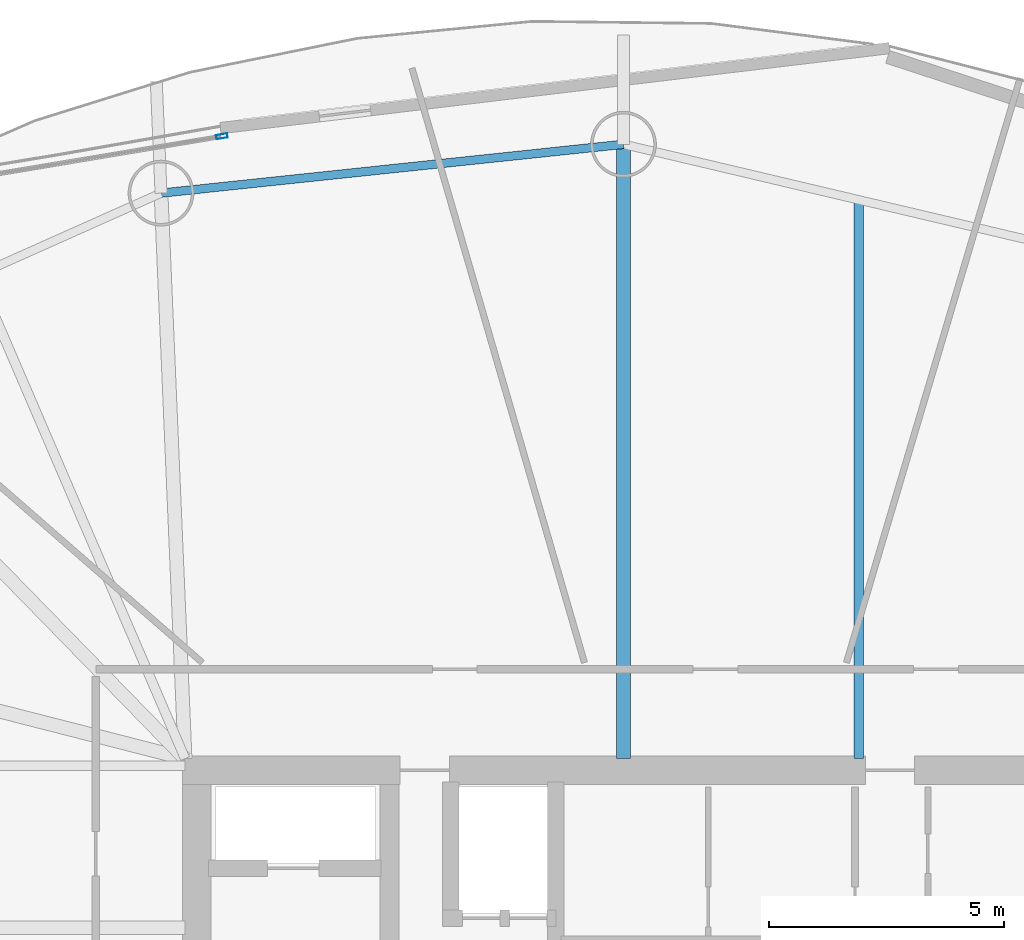
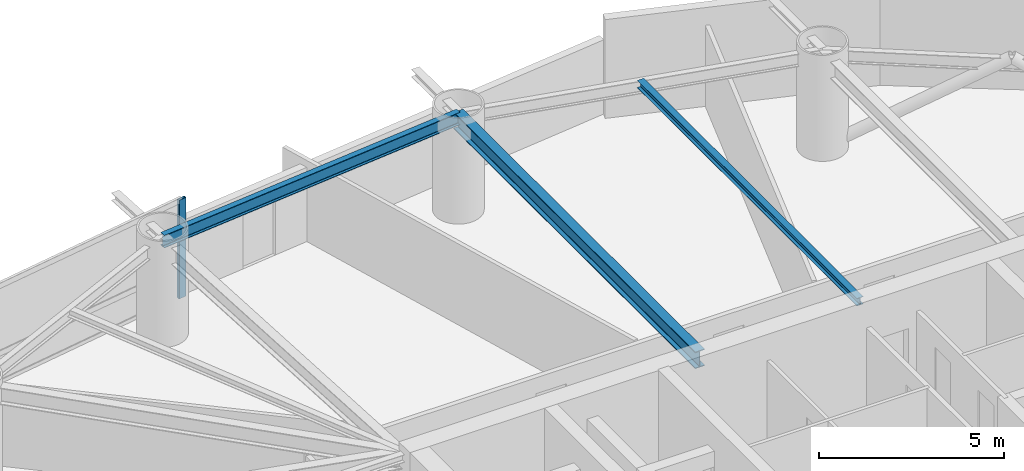
# One storey, part 15 of 22: 3 beams, 1 member, 1 element without a shape of its own.
"""IFC4 building model written with IfcOpenShell, lengths in metres."""

from ifc_helpers import new_model, si_unit, direction, frame, origin, origin_2d, place, context, subcontext, project, spatial, hollow_rectangle, i_section, extrude, material, layer, layer_set, material_profile, profile_set, type_object, element, aggregate, save


model = new_model("IFC4")

# Units and contexts
model_context = context("Model", 3, precision=1e-05, world=origin(), true_north=direction((0.0, 1.0)))
body_context = subcontext(model_context, "Body", "Model", "MODEL_VIEW")
ifc_project = project(units=[si_unit("LENGTHUNIT", "METRE"), si_unit("AREAUNIT", "SQUARE_METRE"), si_unit("VOLUMEUNIT", "CUBIC_METRE"), si_unit("PLANEANGLEUNIT", "RADIAN"), si_unit("MASSUNIT", "GRAM", prefix="KILO")], contexts=[model_context])

# Site, building, storey
site_placement = place(None, origin())
site = spatial("IfcSite", under=ifc_project, at=site_placement, CompositionType="ELEMENT")
building_placement = place(site_placement, origin())
building = spatial("IfcBuilding", under=site, at=building_placement, Name="Bramvorn Convention Spire", CompositionType="ELEMENT")
storey_placement = place(building_placement, frame((0.0, 0.0, 134.300048828125)))
storey = spatial("IfcBuildingStorey", under=building, at=storey_placement, Name="L33", CompositionType="ELEMENT", Elevation=134.300048828125)

# Beams
ifc_material_1 = material(Name="Steel CSA G40.21 Grade 350 (350W)", Category="steel")
ifc_material_profile_1 = material_profile(ifc_material_1, i_section(OverallWidth=0.201904296875, OverallDepth=0.2470703125, WebThickness=0.00732421875, FlangeThickness=0.010986328125, FilletRadius=0.011962890625, at=origin_2d()))
ifc_profile_set_1 = profile_set([ifc_material_profile_1], Name="Steel CSA G40.21 Grade 350 (350W) - W250X49")
beam_type_1 = type_object("IfcBeamType", Name="BM-W250X49", PredefinedType="JOIST", material=ifc_profile_set_1)
beam_1_placement = place(storey_placement, frame((41.079345703125, 33.449951171875, 3.136474609375), z_axis=(0.0, 1.0, 0.0), x_axis=(-1.0, 0.0, 0.0)))
element("IfcBeam", 1, at=beam_1_placement, inside=storey, type_object=beam_type_1, Name="L33 composite floor joist 05", PredefinedType="JOIST", context=body_context, shape_type="SweptSolid", body=[
    extrude(i_section(OverallWidth=0.201904296875, OverallDepth=0.2470703125, WebThickness=0.00732421875, FlangeThickness=0.010986328125, FilletRadius=0.011962890625, at=origin_2d()), origin(), (0.0, 0.0, 1.0), 11.8857421875),
])
ifc_material_profile_2 = material_profile(ifc_material_1, i_section(OverallWidth=0.180908203125, OverallDepth=0.4169921875, WebThickness=0.010986328125, FlangeThickness=0.018310546875, FilletRadius=0.01611328125, at=origin_2d()))
ifc_profile_set_2 = profile_set([ifc_material_profile_2], Name="Steel CSA G40.21 Grade 350 (350W) - W410X85")
beam_type_2 = type_object("IfcBeamType", Name="BM-W410X85", PredefinedType="JOIST", material=ifc_profile_set_2)
beam_2_placement = place(storey_placement, frame((36.075927734375, 46.517333984375, 3.051513671875), z_axis=(-0.994473491975, -0.104987969596, 0.0), x_axis=(0.104987969596, -0.994473491975, 0.0)))
element("IfcBeam", 2, at=beam_2_placement, inside=storey, type_object=beam_type_2, Name="L33 mega-column ring beam 06", PredefinedType="JOIST", context=body_context, shape_type="SweptSolid", body=[
    extrude(i_section(OverallWidth=0.180908203125, OverallDepth=0.4169921875, WebThickness=0.010986328125, FlangeThickness=0.018310546875, FilletRadius=0.01611328125, at=origin_2d()), origin(), (0.0, 0.0, 1.0), 9.892333984375),
])
ifc_material_profile_3 = material_profile(ifc_material_1, i_section(OverallWidth=0.2919921875, OverallDepth=0.551025390625, WebThickness=0.01513671875, FlangeThickness=0.0244140625, FilletRadius=0.01904296875, at=origin_2d()))
ifc_profile_set_3 = profile_set([ifc_material_profile_3], Name="Steel CSA G40.21 Grade 350 (350W) - W530X182")
beam_type_3 = type_object("IfcBeamType", Name="BM-W530X182", PredefinedType="BEAM", material=ifc_profile_set_3)
beam_3_placement = place(storey_placement, frame((36.075927734375, 33.449951171875, 2.984375), z_axis=(0.0, 1.0, 0.0), x_axis=(-1.0, 0.0, 0.0)))
element("IfcBeam", 3, at=beam_3_placement, inside=storey, type_object=beam_type_3, Name="L33 radial floor girder MC06", PredefinedType="BEAM", context=body_context, shape_type="SweptSolid", body=[
    extrude(i_section(OverallWidth=0.2919921875, OverallDepth=0.551025390625, WebThickness=0.01513671875, FlangeThickness=0.0244140625, FilletRadius=0.01904296875, at=origin_2d()), origin(), (0.0, 0.0, 1.0), 13.0673828125),
])

# Curtain wall, member
ifc_material_2 = material(Name="Anodised Bronze Unitised Curtain Wall", Category="aluminium")
ifc_layer = layer(ifc_material_2, 0.219970703125)
ifc_layer_set = layer_set([ifc_layer], Name="Anodised Bronze Unitised Curtain Wall - CW-SKYGARDEN")
curtain_wall_type = type_object("IfcCurtainWallType", Name="CW-SKYGARDEN", PredefinedType="USERDEFINED", material=ifc_layer_set)
curtain_wall_placement = place(storey_placement, origin())
curtain_wall = element("IfcCurtainWall", 4, at=curtain_wall_placement, inside=storey, type_object=curtain_wall_type, Name="L33 Sky Garden glazed facade 10", ObjectType="WINTER GARDEN GLAZING", PredefinedType="USERDEFINED")
ifc_material_3 = material(Name="Anodised Bronze Aluminium 6063-T6", Category="aluminium")
ifc_material_profile_4 = material_profile(ifc_material_3, hollow_rectangle(XDim=0.090087890625, YDim=0.239990234375, WallThickness=0.00439453125, InnerFilletRadius=0.0009765625, OuterFilletRadius=0.00439453125, at=origin_2d()))
ifc_profile_set_4 = profile_set([ifc_material_profile_4], Name="Anodised Bronze Aluminium 6063-T6 - CWM90X240")
member_type = type_object("IfcMemberType", Name="CW-MUL-220", PredefinedType="MULLION", material=ifc_profile_set_4)
member_placement = place(storey_placement, frame((27.53271484375, 46.68701171875, 0.0), z_axis=(0.0, 0.0, 1.0), x_axis=(-0.164993995221, 0.986294571384, 0.0)))
member = element("IfcMember", 5, at=member_placement, type_object=member_type, Name="CW4 mullion 2", PredefinedType="MULLION", context=body_context, shape_type="SweptSolid", body=[
    extrude(hollow_rectangle(XDim=0.090087890625, YDim=0.239990234375, WallThickness=0.00439453125, InnerFilletRadius=0.0009765625, OuterFilletRadius=0.00439453125, at=origin_2d()), origin(), (0.0, 0.0, 1.0), 3.260009765625),
])
aggregate(curtain_wall, [member])

save(model, "model.ifc")
